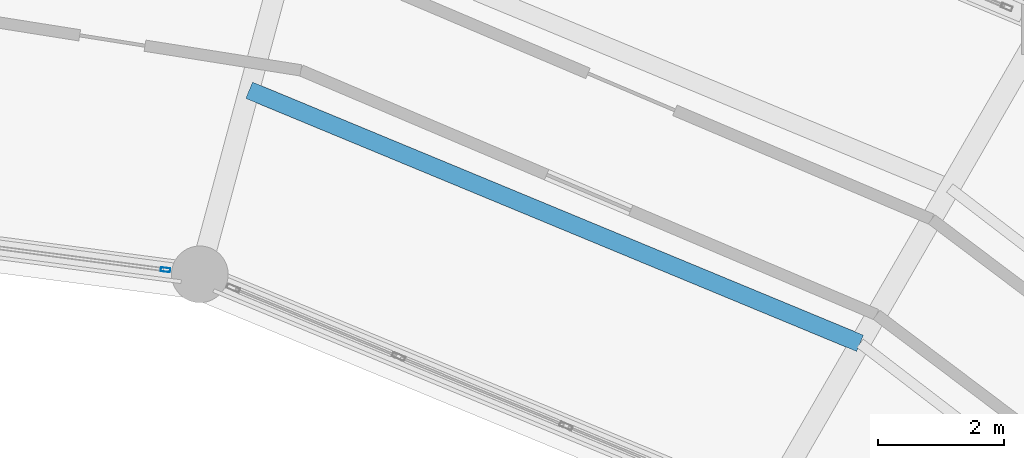
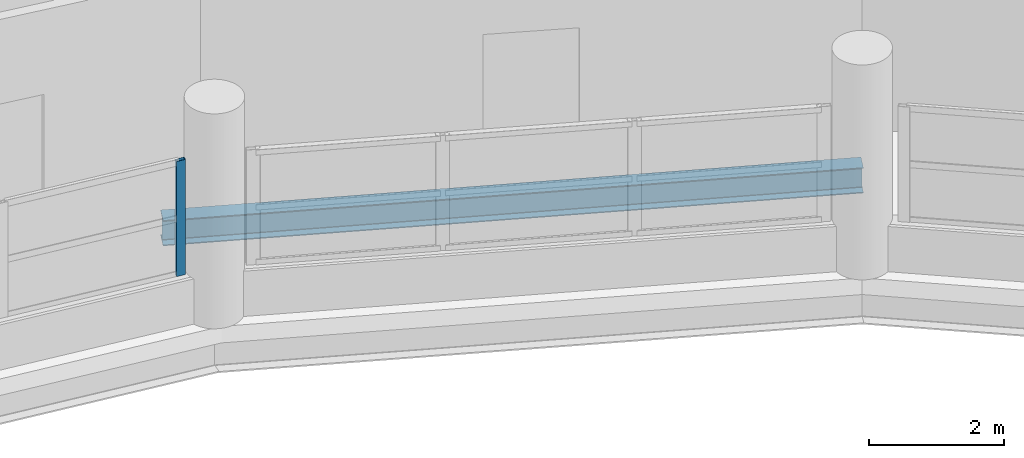
# One storey, part 54 of 88: 1 beam, 1 member, 1 element without a shape of its own.
"""IFC4 building model written with IfcOpenShell, lengths in metres."""

from ifc_helpers import new_model, si_unit, direction, frame, origin, origin_2d, place, context, subcontext, project, spatial, hollow_rectangle, i_section, extrude, material, layer, layer_set, material_profile, profile_set, type_object, element, aggregate, save


model = new_model("IFC4")

# Units and contexts
model_context = context("Model", 3, precision=1e-05, world=origin(), true_north=direction((0.0, 1.0)))
body_context = subcontext(model_context, "Body", "Model", "MODEL_VIEW")
ifc_project = project(units=[si_unit("LENGTHUNIT", "METRE"), si_unit("AREAUNIT", "SQUARE_METRE"), si_unit("VOLUMEUNIT", "CUBIC_METRE"), si_unit("PLANEANGLEUNIT", "RADIAN"), si_unit("MASSUNIT", "GRAM", prefix="KILO")], contexts=[model_context])

# Site, building, storey
site_placement = place(None, origin())
site = spatial("IfcSite", under=ifc_project, at=site_placement, CompositionType="ELEMENT")
building_placement = place(site_placement, origin())
building = spatial("IfcBuilding", under=site, at=building_placement, Name="Vespera Passage Community Centre", CompositionType="ELEMENT")
storey_placement = place(building_placement, frame((0.0, 0.0, 16.5)))
storey = spatial("IfcBuildingStorey", under=building, at=storey_placement, Name="L04", CompositionType="ELEMENT", Elevation=16.5)

# Beam
ifc_material_1 = material(Name="Steel ASTM A992 Grade 50", Category="steel")
ifc_material_profile_1 = material_profile(ifc_material_1, i_section(OverallWidth=0.280517578125, OverallDepth=0.46240234375, WebThickness=0.0107421875, FlangeThickness=0.017333984375, FilletRadius=0.01025390625, at=origin_2d()), Name="W18X76")
ifc_profile_set_1 = profile_set([ifc_material_profile_1], Name="Steel ASTM A992 Grade 50")
beam_type = type_object("IfcBeamType", Name="BM-J-W18X76", PredefinedType="JOIST", material=ifc_profile_set_1)
beam_placement = place(storey_placement, frame((98.113037109375, 100.336669921875, -0.53125), z_axis=(-0.92387968492, 0.382683064417, 0.0), x_axis=(-0.382683064417, -0.92387968492, 0.0)))
element("IfcBeam", 1, at=beam_placement, inside=storey, type_object=beam_type, Name="V4 L04 Floor Joist 4.1", PredefinedType="JOIST", context=body_context, shape_type="SweptSolid", body=[
    extrude(i_section(OverallWidth=0.280517578125, OverallDepth=0.46240234375, WebThickness=0.0107421875, FlangeThickness=0.017333984375, FilletRadius=0.01025390625, at=origin_2d()), origin(), (0.0, 0.0, 1.0), 10.5009765625),
])

# Curtain wall, member
ifc_material_2 = material(Name="Anodized aluminium 6063-T6", Category="aluminium")
ifc_layer = layer(ifc_material_2, 0.159912109375)
ifc_layer_set = layer_set([ifc_layer], Name="Anodized aluminium 6063-T6")
curtain_wall_type = type_object("IfcCurtainWallType", Name="CW-58E", PredefinedType="NOTDEFINED", material=ifc_layer_set)
curtain_wall_placement = place(storey_placement, origin())
curtain_wall = element("IfcCurtainWall", 2, at=curtain_wall_placement, inside=storey, type_object=curtain_wall_type, Name="V4 L04 Inner Court Curtain Wall 5", PredefinedType="NOTDEFINED")
ifc_material_3 = material(Name="Anodized aluminium 6063-T6", Category="aluminium")
ifc_material_profile_2 = material_profile(ifc_material_3, hollow_rectangle(XDim=0.06494140625, YDim=0.14990234375, WallThickness=0.00390625, InnerFilletRadius=0.001953125, OuterFilletRadius=0.00390625, at=origin_2d()), Name="ALU150X65X4")
ifc_profile_set_2 = profile_set([ifc_material_profile_2], Name="Anodized aluminium 6063-T6")
member_type = type_object("IfcMemberType", Name="MB-CWM-150E", PredefinedType="MULLION", material=ifc_profile_set_2)
member_placement = place(storey_placement, frame((87.082763671875, 101.504150390625, 0.820068359375), z_axis=(0.0, 0.0, 1.0), x_axis=(-0.1305221941, -0.991445387728, 0.0)))
member = element("IfcMember", 3, at=member_placement, type_object=member_type, Name="CW-58E mullion 1", PredefinedType="MULLION", context=body_context, shape_type="SweptSolid", body=[
    extrude(hollow_rectangle(XDim=0.06494140625, YDim=0.14990234375, WallThickness=0.00390625, InnerFilletRadius=0.001953125, OuterFilletRadius=0.00390625, at=origin_2d()), origin(), (0.0, 0.0, 1.0), 2.08935546875),
])
aggregate(curtain_wall, [member])

save(model, "model.ifc")
